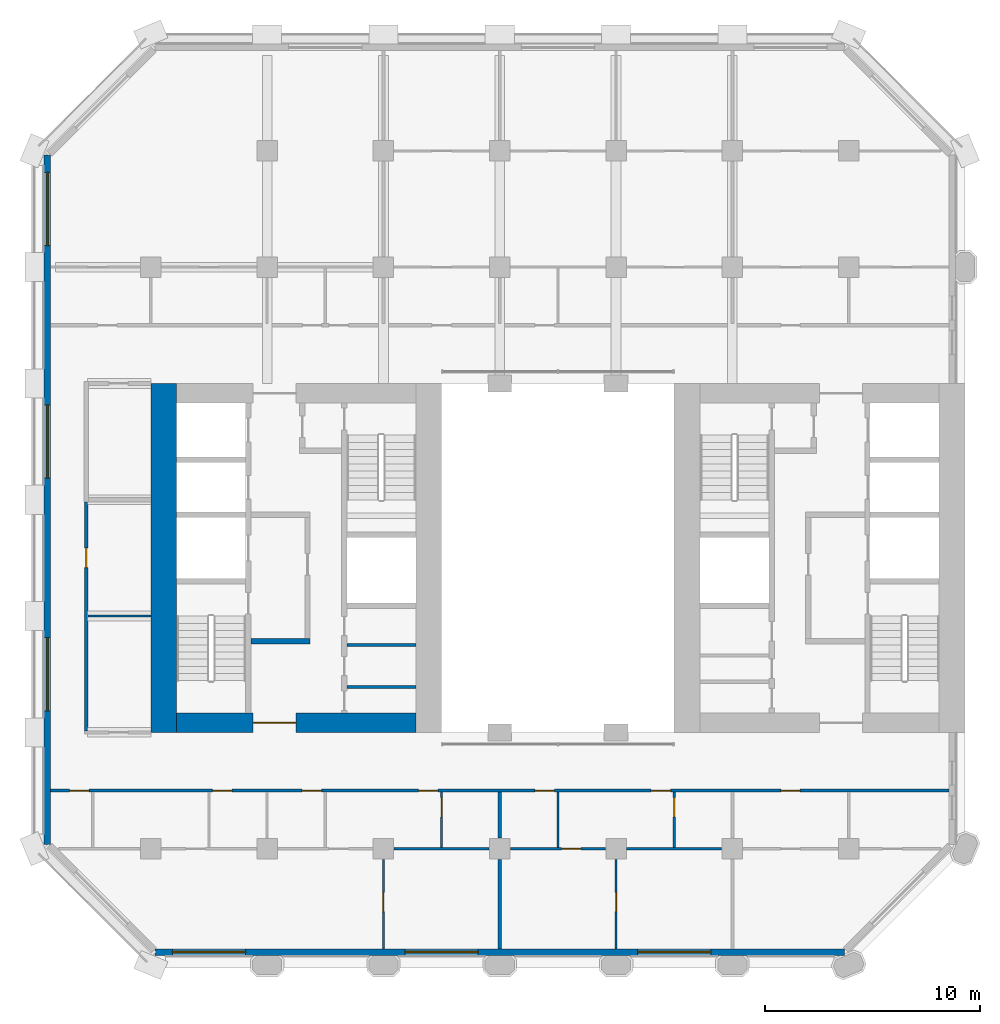
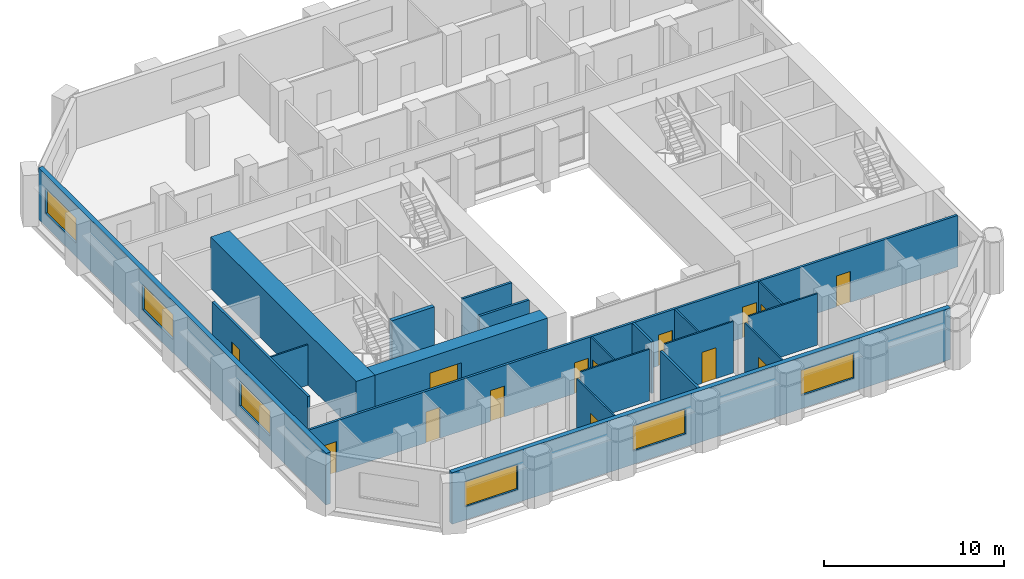
# One storey, part 6 of 13: 20 walls, 14 doors, 6 windows, 20 openings.
"""IFC4 building model written with IfcOpenShell, lengths in metres."""

from ifc_helpers import new_model, si_unit, direction, frame, frame_2d, origin, place, context, subcontext, project, spatial, rectangle, extrude, material, layer, layer_set, type_object, element, fill, save


model = new_model("IFC4")

# Units and contexts
model_context = context("Model", 3, precision=1e-05, world=origin(), true_north=direction((0.0, 1.0)))
body_context = subcontext(model_context, "Body", "Model", "MODEL_VIEW")
ifc_project = project(units=[si_unit("LENGTHUNIT", "METRE"), si_unit("AREAUNIT", "SQUARE_METRE"), si_unit("VOLUMEUNIT", "CUBIC_METRE"), si_unit("PLANEANGLEUNIT", "RADIAN"), si_unit("MASSUNIT", "GRAM", prefix="KILO")], contexts=[model_context])

# Site, building, storey
site_placement = place(None, origin())
site = spatial("IfcSite", under=ifc_project, at=site_placement, CompositionType="ELEMENT")
building_placement = place(site_placement, origin())
building = spatial("IfcBuilding", under=site, at=building_placement, Name="Tabaq Tower and Sports Hall", CompositionType="ELEMENT")
storey_placement = place(building_placement, frame((0.0, 0.0, 118.199951171875)))
storey = spatial("IfcBuildingStorey", under=building, at=storey_placement, Name="L28", CompositionType="ELEMENT", Elevation=118.199951171875)

# Walls
ifc_material_1 = material(Name="Blockwork", Category="masonry")
ifc_layer_1 = layer(ifc_material_1, 0.14990234375)
ifc_layer_set_1 = layer_set([ifc_layer_1], Name="Core room partition 150 Blockwork")
wall_type_1 = type_object("IfcWallType", Name="Core room partition 150 Blockwork", PredefinedType="PARTITIONING", material=ifc_layer_set_1)
for number, where, z_axis, x_axis, name in (
    (1, (14.5, 18.31201171875, 0.0), (0.0, 0.0, 1.0), (1.0, 0.0, 0.0), "Core room partition W L28"),
    (2, (14.5, 20.251953125, 0.0), (0.0, 0.0, 1.0), (1.0, 0.0, 0.0), "Core room partition W L28"),
):
    element("IfcWall", number, at=place(storey_placement, frame(where, z_axis=z_axis, x_axis=x_axis)), inside=storey, type_object=wall_type_1, Name=name, PredefinedType="PARTITIONING", context=body_context, shape_type="SweptSolid", body=[
        extrude(rectangle(XDim=3.199951171875, YDim=0.14990234375, at=frame_2d((1.60009765625, 0.0))), origin(), (0.0, 0.0, 1.0), 3.5),
    ])
ifc_material_2 = material(Name="Concrete C60/75", Category="concrete")
ifc_layer_2 = layer(ifc_material_2, 1.199951171875)
ifc_layer_set_2 = layer_set([ifc_layer_2], Name="Core wall 1200 Concrete C60/75")
wall_type_2 = type_object("IfcWallType", Name="Core wall 1200 Concrete C60/75", PredefinedType="SOLIDWALL", material=ifc_layer_set_2)
wall_1_placement = place(storey_placement, frame((6.0, 16.199951171875, 0.0), z_axis=(0.0, 0.0, 1.0), x_axis=(0.0, 1.0, 0.0)))
element("IfcWall", 3, at=wall_1_placement, inside=storey, type_object=wall_type_2, Name="Core wall W L28", PredefinedType="SOLIDWALL", context=body_context, shape_type="SweptSolid", body=[
    extrude(rectangle(XDim=16.199951171875, YDim=1.199951171875, at=frame_2d((8.10009765625, 0.0))), origin(), (0.0, 0.0, 1.0), 3.5),
])

# Wall, opening, door
ifc_material_3 = material(Name="Concrete C60/75", Category="concrete")
ifc_layer_3 = layer(ifc_material_3, 0.89990234375)
ifc_layer_set_3 = layer_set([ifc_layer_3], Name="Core wall 900 Concrete C60/75")
wall_type_3 = type_object("IfcWallType", Name="Core wall 900 Concrete C60/75", PredefinedType="SOLIDWALL", material=ifc_layer_set_3)
wall_2_placement = place(storey_placement, frame((17.699951171875, 16.64990234375, 0.0), z_axis=(0.0, 0.0, 1.0), x_axis=(-1.0, 0.0, 0.0)))
wall_2 = element("IfcWall", 4, at=wall_2_placement, inside=storey, type_object=wall_type_3, Name="Core wall W L28", PredefinedType="SOLIDWALL", context=body_context, shape_type="SweptSolid", body=[
    extrude(rectangle(XDim=11.099853515625, YDim=0.89990234375, at=frame_2d((5.5498046875, 0.0))), origin(), (0.0, 0.0, 1.0), 3.5),
])
opening_1_placement = place(wall_2_placement, frame((5.550048828125, 0.0, 0.0)))
opening_1 = element("IfcOpeningElement", 5, at=opening_1_placement, cuts=wall_2, Name="Opening PD-WL28-01", PredefinedType="OPENING", context=body_context, shape_type="SweptSolid", body=[
    extrude(rectangle(XDim=2.0, YDim=2.39990234375, at=frame_2d((1.0, 1.199951171875))), frame((0.0, 0.449951171875, 0.0), z_axis=(0.0, -1.0, 0.0), x_axis=(1.0, 0.0, 0.0)), (0.0, 0.0, 1.0), 0.89990234375),
])
ifc_material_4 = material(Name="Steel fire door", Category="steel")
door_type_1 = type_object("IfcDoorType", Name="Core entrance door 2000", OperationType="DOUBLE_DOOR_SINGLE_SWING", PredefinedType="DOOR", material=ifc_material_4)
door_1_placement = place(opening_1_placement, origin())
door_1 = element("IfcDoor", 6, at=door_1_placement, inside=storey, type_object=door_type_1, Name="Core entrance south W L28", OperationType="DOUBLE_DOOR_SINGLE_SWING", OverallHeight=2.39990234375, OverallWidth=2.0, PredefinedType="DOOR", context=body_context, shape_type="SweptSolid", body=[
    extrude(rectangle(XDim=2.0, YDim=2.39990234375, at=frame_2d((1.0, 1.199951171875))), frame((0.0, 0.02490234375, 0.0), z_axis=(0.0, -1.0, 0.0), x_axis=(1.0, 0.0, 0.0)), (0.0, 0.0, 1.0), 0.050048828125),
])
fill(opening_1, door_1)

ifc_material_5 = material(Name="Gypsum board on steel studs", Category="steel")
ifc_layer_4 = layer(ifc_material_5, 0.10009765625)
ifc_layer_set_4 = layer_set([ifc_layer_4], Name="Partition 100 Gypsum board")
wall_type_4 = type_object("IfcWallType", Name="Partition 100 Gypsum board", PredefinedType="PARTITIONING", material=ifc_layer_set_4)
wall_3_placement = place(storey_placement, frame((18.89990234375, 10.85009765625, 0.0), z_axis=(0.0, 0.0, 1.0), x_axis=(0.0, 1.0, 0.0)))
wall_3 = element("IfcWall", 7, at=wall_3_placement, inside=storey, type_object=wall_type_4, Name="Partition wall L28", PredefinedType="PARTITIONING", context=body_context, shape_type="SweptSolid", body=[
    extrude(rectangle(XDim=2.574951171875, YDim=0.10009765625, at=frame_2d((1.28759765625, 0.0))), origin(), (0.0, 0.0, 1.0), 3.5),
])
opening_2_placement = place(wall_3_placement, frame((1.425048828125, 0.0, 0.0)))
opening_2 = element("IfcOpeningElement", 8, at=opening_2_placement, cuts=wall_3, Name="Opening L28-019", PredefinedType="OPENING", context=body_context, shape_type="SweptSolid", body=[
    extrude(rectangle(XDim=0.89990234375, YDim=2.10009765625, at=frame_2d((0.449951171875, 1.050048828125))), frame((0.0, 0.050048828125, 0.0), z_axis=(0.0, -1.0, 0.0), x_axis=(1.0, 0.0, 0.0)), (0.0, 0.0, 1.0), 0.10009765625),
])
ifc_material_6 = material(Name="Timber leaf in steel frame", Category="steel")
door_type_2 = type_object("IfcDoorType", Name="Internal door 900 left hand", OperationType="SINGLE_SWING_LEFT", PredefinedType="DOOR", material=ifc_material_6)
door_2_placement = place(opening_2_placement, origin())
door_2 = element("IfcDoor", 9, at=door_2_placement, inside=storey, type_object=door_type_2, Name="Internal door L28-019", OperationType="SINGLE_SWING_LEFT", OverallHeight=2.10009765625, OverallWidth=0.89990234375, PredefinedType="DOOR", context=body_context, shape_type="SweptSolid", body=[
    extrude(rectangle(XDim=0.89990234375, YDim=2.10009765625, at=frame_2d((0.449951171875, 1.050048828125))), frame((0.0, 0.02490234375, 0.0), z_axis=(0.0, -1.0, 0.0), x_axis=(1.0, 0.0, 0.0)), (0.0, 0.0, 1.0), 0.050048828125),
])
fill(opening_2, door_2)

# Wall
wall_4_placement = place(storey_placement, frame((16.695068359375, 10.800048828125, 0.0), z_axis=(0.0, 0.0, 1.0), x_axis=(1.0, 0.0, 0.0)))
element("IfcWall", 10, at=wall_4_placement, inside=storey, type_object=wall_type_4, Name="Partition wall L28", PredefinedType="PARTITIONING", context=body_context, shape_type="SweptSolid", body=[
    extrude(rectangle(XDim=4.409912109375, YDim=0.10009765625, at=frame_2d((2.205078125, 0.0))), origin(), (0.0, 0.0, 1.0), 3.5),
])

# Wall, opening, door
wall_5_placement = place(storey_placement, frame((16.199951171875, 6.15087890625, 0.0), z_axis=(0.0, 0.0, 1.0), x_axis=(0.0, 1.0, 0.0)))
wall_5 = element("IfcWall", 11, at=wall_5_placement, inside=storey, type_object=wall_type_4, Name="Partition wall L28", PredefinedType="PARTITIONING", context=body_context, shape_type="SweptSolid", body=[
    extrude(rectangle(XDim=4.154052734375, YDim=0.10009765625, at=frame_2d((2.0771484375, 0.0))), origin(), (0.0, 0.0, 1.0), 3.5),
])
opening_3_placement = place(wall_5_placement, frame((1.72412109375, 0.0, 0.0)))
opening_3 = element("IfcOpeningElement", 12, at=opening_3_placement, cuts=wall_5, Name="Opening L28-020", PredefinedType="OPENING", context=body_context, shape_type="SweptSolid", body=[
    extrude(rectangle(XDim=0.89990234375, YDim=2.10009765625, at=frame_2d((0.449951171875, 1.050048828125))), frame((0.0, 0.050048828125, 0.0), z_axis=(0.0, -1.0, 0.0), x_axis=(1.0, 0.0, 0.0)), (0.0, 0.0, 1.0), 0.10009765625),
])
ifc_material_7 = material(Name="Timber leaf in steel frame", Category="steel")
door_type_3 = type_object("IfcDoorType", Name="Internal door 900 right hand", OperationType="SINGLE_SWING_RIGHT", PredefinedType="DOOR", material=ifc_material_7)
door_3_placement = place(opening_3_placement, origin())
door_3 = element("IfcDoor", 13, at=door_3_placement, inside=storey, type_object=door_type_3, Name="Internal door L28-020", OperationType="SINGLE_SWING_RIGHT", OverallHeight=2.10009765625, OverallWidth=0.89990234375, PredefinedType="DOOR", context=body_context, shape_type="SweptSolid", body=[
    extrude(rectangle(XDim=0.89990234375, YDim=2.10009765625, at=frame_2d((0.449951171875, 1.050048828125))), frame((0.0, 0.02490234375, 0.0), z_axis=(0.0, -1.0, 0.0), x_axis=(1.0, 0.0, 0.0)), (0.0, 0.0, 1.0), 0.050048828125),
])
fill(opening_3, door_3)

# Wall
wall_6_placement = place(storey_placement, frame((24.300048828125, 10.85009765625, 0.0), z_axis=(0.0, 0.0, 1.0), x_axis=(0.0, 1.0, 0.0)))
element("IfcWall", 14, at=wall_6_placement, inside=storey, type_object=wall_type_4, Name="Partition wall L28", PredefinedType="PARTITIONING", context=body_context, shape_type="SweptSolid", body=[
    extrude(rectangle(XDim=2.574951171875, YDim=0.10009765625, at=frame_2d((1.28759765625, 0.0))), origin(), (0.0, 0.0, 1.0), 3.5),
])

# Wall, opening, door
wall_7_placement = place(storey_placement, frame((22.094970703125, 10.800048828125, 0.0), z_axis=(0.0, 0.0, 1.0), x_axis=(1.0, 0.0, 0.0)))
wall_7 = element("IfcWall", 15, at=wall_7_placement, inside=storey, type_object=wall_type_4, Name="Partition wall L28", PredefinedType="PARTITIONING", context=body_context, shape_type="SweptSolid", body=[
    extrude(rectangle(XDim=4.409912109375, YDim=0.10009765625, at=frame_2d((2.205078125, 0.0))), origin(), (0.0, 0.0, 1.0), 3.5),
])
opening_4_placement = place(wall_7_placement, frame((2.375, 0.0, 0.0)))
opening_4 = element("IfcOpeningElement", 16, at=opening_4_placement, cuts=wall_7, Name="Opening L28-031", PredefinedType="OPENING", context=body_context, shape_type="SweptSolid", body=[
    extrude(rectangle(XDim=0.89990234375, YDim=2.10009765625, at=frame_2d((0.449951171875, 1.050048828125))), frame((0.0, 0.050048828125, 0.0), z_axis=(0.0, -1.0, 0.0), x_axis=(1.0, 0.0, 0.0)), (0.0, 0.0, 1.0), 0.10009765625),
])
door_4_placement = place(opening_4_placement, origin())
door_4 = element("IfcDoor", 17, at=door_4_placement, inside=storey, type_object=door_type_2, Name="Internal door L28-031", OperationType="SINGLE_SWING_LEFT", OverallHeight=2.10009765625, OverallWidth=0.89990234375, PredefinedType="DOOR", context=body_context, shape_type="SweptSolid", body=[
    extrude(rectangle(XDim=0.89990234375, YDim=2.10009765625, at=frame_2d((0.449951171875, 1.050048828125))), frame((0.0, 0.02490234375, 0.0), z_axis=(0.0, -1.0, 0.0), x_axis=(1.0, 0.0, 0.0)), (0.0, 0.0, 1.0), 0.050048828125),
])
fill(opening_4, door_4)

wall_8_placement = place(storey_placement, frame((29.699951171875, 10.85009765625, 0.0), z_axis=(0.0, 0.0, 1.0), x_axis=(0.0, 1.0, 0.0)))
wall_8 = element("IfcWall", 18, at=wall_8_placement, inside=storey, type_object=wall_type_4, Name="Partition wall L28", PredefinedType="PARTITIONING", context=body_context, shape_type="SweptSolid", body=[
    extrude(rectangle(XDim=2.574951171875, YDim=0.10009765625, at=frame_2d((1.28759765625, 0.0))), origin(), (0.0, 0.0, 1.0), 3.5),
])
opening_5_placement = place(wall_8_placement, frame((1.425048828125, 0.0, 0.0)))
opening_5 = element("IfcOpeningElement", 19, at=opening_5_placement, cuts=wall_8, Name="Opening L28-021", PredefinedType="OPENING", context=body_context, shape_type="SweptSolid", body=[
    extrude(rectangle(XDim=0.89990234375, YDim=2.10009765625, at=frame_2d((0.449951171875, 1.050048828125))), frame((0.0, 0.050048828125, 0.0), z_axis=(0.0, -1.0, 0.0), x_axis=(1.0, 0.0, 0.0)), (0.0, 0.0, 1.0), 0.10009765625),
])
door_5_placement = place(opening_5_placement, origin())
door_5 = element("IfcDoor", 20, at=door_5_placement, inside=storey, type_object=door_type_3, Name="Internal door L28-021", OperationType="SINGLE_SWING_RIGHT", OverallHeight=2.10009765625, OverallWidth=0.89990234375, PredefinedType="DOOR", context=body_context, shape_type="SweptSolid", body=[
    extrude(rectangle(XDim=0.89990234375, YDim=2.10009765625, at=frame_2d((0.449951171875, 1.050048828125))), frame((0.0, 0.02490234375, 0.0), z_axis=(0.0, -1.0, 0.0), x_axis=(1.0, 0.0, 0.0)), (0.0, 0.0, 1.0), 0.050048828125),
])
fill(opening_5, door_5)

# Wall
wall_9_placement = place(storey_placement, frame((27.4951171875, 10.800048828125, 0.0), z_axis=(0.0, 0.0, 1.0), x_axis=(1.0, 0.0, 0.0)))
element("IfcWall", 21, at=wall_9_placement, inside=storey, type_object=wall_type_4, Name="Partition wall L28", PredefinedType="PARTITIONING", context=body_context, shape_type="SweptSolid", body=[
    extrude(rectangle(XDim=4.409912109375, YDim=0.10009765625, at=frame_2d((2.205078125, 0.0))), origin(), (0.0, 0.0, 1.0), 3.5),
])

# Wall, opening, door
wall_10_placement = place(storey_placement, frame((27.0, 6.15087890625, 0.0), z_axis=(0.0, 0.0, 1.0), x_axis=(0.0, 1.0, 0.0)))
wall_10 = element("IfcWall", 22, at=wall_10_placement, inside=storey, type_object=wall_type_4, Name="Partition wall L28", PredefinedType="PARTITIONING", context=body_context, shape_type="SweptSolid", body=[
    extrude(rectangle(XDim=4.154052734375, YDim=0.10009765625, at=frame_2d((2.0771484375, 0.0))), origin(), (0.0, 0.0, 1.0), 3.5),
])
opening_6_placement = place(wall_10_placement, frame((1.72412109375, 0.0, 0.0)))
opening_6 = element("IfcOpeningElement", 23, at=opening_6_placement, cuts=wall_10, Name="Opening L28-022", PredefinedType="OPENING", context=body_context, shape_type="SweptSolid", body=[
    extrude(rectangle(XDim=0.89990234375, YDim=2.10009765625, at=frame_2d((0.449951171875, 1.050048828125))), frame((0.0, 0.050048828125, 0.0), z_axis=(0.0, -1.0, 0.0), x_axis=(1.0, 0.0, 0.0)), (0.0, 0.0, 1.0), 0.10009765625),
])
door_6_placement = place(opening_6_placement, origin())
door_6 = element("IfcDoor", 24, at=door_6_placement, inside=storey, type_object=door_type_3, Name="Internal door L28-022", OperationType="SINGLE_SWING_RIGHT", OverallHeight=2.10009765625, OverallWidth=0.89990234375, PredefinedType="DOOR", context=body_context, shape_type="SweptSolid", body=[
    extrude(rectangle(XDim=0.89990234375, YDim=2.10009765625, at=frame_2d((0.449951171875, 1.050048828125))), frame((0.0, 0.02490234375, 0.0), z_axis=(0.0, -1.0, 0.0), x_axis=(1.0, 0.0, 0.0)), (0.0, 0.0, 1.0), 0.050048828125),
])
fill(opening_6, door_6)

# Wall
wall_11_placement = place(storey_placement, frame((5.39990234375, 21.60009765625, 0.0), z_axis=(0.0, 0.0, 1.0), x_axis=(-1.0, 0.0, 0.0)))
element("IfcWall", 25, at=wall_11_placement, inside=storey, type_object=wall_type_4, Name="Partition wall L28", PredefinedType="PARTITIONING", context=body_context, shape_type="SweptSolid", body=[
    extrude(rectangle(XDim=2.9248046875, YDim=0.10009765625, at=frame_2d((1.46240234375, 0.0))), origin(), (0.0, 0.0, 1.0), 2.75),
])

# Wall, opening, door
ifc_material_8 = material(Name="Blockwork", Category="masonry")
ifc_layer_5 = layer(ifc_material_8, 0.14990234375)
ifc_layer_set_5 = layer_set([ifc_layer_5], Name="Separating wall 150 Blockwork")
wall_type_5 = type_object("IfcWallType", Name="Separating wall 150 Blockwork", PredefinedType="PARTITIONING", material=ifc_layer_set_5)
wall_12_placement = place(storey_placement, frame((2.39990234375, 16.27490234375, 0.0), z_axis=(0.0, 0.0, 1.0), x_axis=(0.0, 1.0, 0.0)))
wall_12 = element("IfcWall", 26, at=wall_12_placement, inside=storey, type_object=wall_type_5, Name="Separating wall L28", PredefinedType="PARTITIONING", context=body_context, shape_type="SweptSolid", body=[
    extrude(rectangle(XDim=10.625, YDim=0.14990234375, at=frame_2d((5.3125, 0.0))), origin(), (0.0, 0.0, 1.0), 3.5),
])
opening_7_placement = place(wall_12_placement, frame((7.574951171875, 0.0, 0.0)))
opening_7 = element("IfcOpeningElement", 27, at=opening_7_placement, cuts=wall_12, Name="Opening L28-009", PredefinedType="OPENING", context=body_context, shape_type="SweptSolid", body=[
    extrude(rectangle(XDim=0.89990234375, YDim=2.10009765625, at=frame_2d((0.449951171875, 1.050048828125))), frame((0.0, 0.074951171875, 0.0), z_axis=(0.0, -1.0, 0.0), x_axis=(1.0, 0.0, 0.0)), (0.0, 0.0, 1.0), 0.14990234375),
])
door_7_placement = place(opening_7_placement, origin())
door_7 = element("IfcDoor", 28, at=door_7_placement, inside=storey, type_object=door_type_3, Name="Internal door L28-009", OperationType="SINGLE_SWING_RIGHT", OverallHeight=2.10009765625, OverallWidth=0.89990234375, PredefinedType="DOOR", context=body_context, shape_type="SweptSolid", body=[
    extrude(rectangle(XDim=0.89990234375, YDim=2.10009765625, at=frame_2d((0.449951171875, 1.050048828125))), frame((0.0, 0.02490234375, 0.0), z_axis=(0.0, -1.0, 0.0), x_axis=(1.0, 0.0, 0.0)), (0.0, 0.0, 1.0), 0.050048828125),
])
fill(opening_7, door_7)

# Wall, openings, doors
wall_13_placement = place(storey_placement, frame((0.7509765625, 13.5, 0.0), z_axis=(0.0, 0.0, 1.0), x_axis=(1.0, 0.0, 0.0)))
wall_13 = element("IfcWall", 29, at=wall_13_placement, inside=storey, type_object=wall_type_5, Name="Separating wall L28", PredefinedType="PARTITIONING", context=body_context, shape_type="SweptSolid", body=[
    extrude(rectangle(XDim=41.697998046875, YDim=0.14990234375, at=frame_2d((20.84912109375, 0.0))), origin(), (0.0, 0.0, 1.0), 3.5),
])
opening_8_placement = place(wall_13_placement, frame((0.87890625, 0.0, 0.0)))
opening_8 = element("IfcOpeningElement", 30, at=opening_8_placement, cuts=wall_13, Name="Opening L28-004", PredefinedType="OPENING", context=body_context, shape_type="SweptSolid", body=[
    extrude(rectangle(XDim=0.89990234375, YDim=2.10009765625, at=frame_2d((0.449951171875, 1.050048828125))), frame((0.0, 0.074951171875, 0.0), z_axis=(0.0, -1.0, 0.0), x_axis=(1.0, 0.0, 0.0)), (0.0, 0.0, 1.0), 0.14990234375),
])
opening_9_placement = place(wall_13_placement, frame((7.51904296875, 0.0, 0.0)))
opening_9 = element("IfcOpeningElement", 31, at=opening_9_placement, cuts=wall_13, Name="Opening L28-005", PredefinedType="OPENING", context=body_context, shape_type="SweptSolid", body=[
    extrude(rectangle(XDim=0.89990234375, YDim=2.10009765625, at=frame_2d((0.449951171875, 1.050048828125))), frame((0.0, 0.074951171875, 0.0), z_axis=(0.0, -1.0, 0.0), x_axis=(1.0, 0.0, 0.0)), (0.0, 0.0, 1.0), 0.14990234375),
])
opening_10_placement = place(wall_13_placement, frame((11.678955078125, 0.0, 0.0)))
opening_10 = element("IfcOpeningElement", 32, at=opening_10_placement, cuts=wall_13, Name="Opening L28-006", PredefinedType="OPENING", context=body_context, shape_type="SweptSolid", body=[
    extrude(rectangle(XDim=0.89990234375, YDim=2.10009765625, at=frame_2d((0.449951171875, 1.050048828125))), frame((0.0, 0.074951171875, 0.0), z_axis=(0.0, -1.0, 0.0), x_axis=(1.0, 0.0, 0.0)), (0.0, 0.0, 1.0), 0.14990234375),
])
opening_11_placement = place(wall_13_placement, frame((22.47900390625, 0.0, 0.0)))
opening_11 = element("IfcOpeningElement", 33, at=opening_11_placement, cuts=wall_13, Name="Opening L28-007", PredefinedType="OPENING", context=body_context, shape_type="SweptSolid", body=[
    extrude(rectangle(XDim=0.89990234375, YDim=2.10009765625, at=frame_2d((0.449951171875, 1.050048828125))), frame((0.0, 0.074951171875, 0.0), z_axis=(0.0, -1.0, 0.0), x_axis=(1.0, 0.0, 0.0)), (0.0, 0.0, 1.0), 0.14990234375),
])
opening_12_placement = place(wall_13_placement, frame((33.89892578125, 0.0, 0.0)))
opening_12 = element("IfcOpeningElement", 34, at=opening_12_placement, cuts=wall_13, Name="Opening L28-027", PredefinedType="OPENING", context=body_context, shape_type="SweptSolid", body=[
    extrude(rectangle(XDim=0.89990234375, YDim=2.10009765625, at=frame_2d((0.449951171875, 1.050048828125))), frame((0.0, 0.074951171875, 0.0), z_axis=(0.0, -1.0, 0.0), x_axis=(1.0, 0.0, 0.0)), (0.0, 0.0, 1.0), 0.14990234375),
])
opening_13_placement = place(wall_13_placement, frame((17.0791015625, 0.0, 0.0)))
opening_13 = element("IfcOpeningElement", 35, at=opening_13_placement, cuts=wall_13, Name="Opening L28-033", PredefinedType="OPENING", context=body_context, shape_type="SweptSolid", body=[
    extrude(rectangle(XDim=0.89990234375, YDim=2.10009765625, at=frame_2d((0.449951171875, 1.050048828125))), frame((0.0, 0.074951171875, 0.0), z_axis=(0.0, -1.0, 0.0), x_axis=(1.0, 0.0, 0.0)), (0.0, 0.0, 1.0), 0.14990234375),
])
opening_14_placement = place(wall_13_placement, frame((27.87890625, 0.0, 0.0)))
opening_14 = element("IfcOpeningElement", 36, at=opening_14_placement, cuts=wall_13, Name="Opening L28-034", PredefinedType="OPENING", context=body_context, shape_type="SweptSolid", body=[
    extrude(rectangle(XDim=0.89990234375, YDim=2.10009765625, at=frame_2d((0.449951171875, 1.050048828125))), frame((0.0, 0.074951171875, 0.0), z_axis=(0.0, -1.0, 0.0), x_axis=(1.0, 0.0, 0.0)), (0.0, 0.0, 1.0), 0.14990234375),
])
ifc_material_9 = material(Name="Steel fire door", Category="steel")
door_type_4 = type_object("IfcDoorType", Name="Entrance door 900 left hand", OperationType="SINGLE_SWING_LEFT", PredefinedType="DOOR", material=ifc_material_9)
door_8_placement = place(opening_8_placement, origin())
door_8 = element("IfcDoor", 37, at=door_8_placement, inside=storey, type_object=door_type_4, Name="Entrance door L28-004", OperationType="SINGLE_SWING_LEFT", OverallHeight=2.10009765625, OverallWidth=0.89990234375, PredefinedType="DOOR", context=body_context, shape_type="SweptSolid", body=[
    extrude(rectangle(XDim=0.89990234375, YDim=2.10009765625, at=frame_2d((0.449951171875, 1.050048828125))), frame((0.0, 0.02490234375, 0.0), z_axis=(0.0, -1.0, 0.0), x_axis=(1.0, 0.0, 0.0)), (0.0, 0.0, 1.0), 0.050048828125),
])
fill(opening_8, door_8)
door_9_placement = place(opening_9_placement, origin())
door_9 = element("IfcDoor", 38, at=door_9_placement, inside=storey, type_object=door_type_4, Name="Entrance door L28-005", OperationType="SINGLE_SWING_LEFT", OverallHeight=2.10009765625, OverallWidth=0.89990234375, PredefinedType="DOOR", context=body_context, shape_type="SweptSolid", body=[
    extrude(rectangle(XDim=0.89990234375, YDim=2.10009765625, at=frame_2d((0.449951171875, 1.050048828125))), frame((0.0, 0.02490234375, 0.0), z_axis=(0.0, -1.0, 0.0), x_axis=(1.0, 0.0, 0.0)), (0.0, 0.0, 1.0), 0.050048828125),
])
fill(opening_9, door_9)
door_10_placement = place(opening_10_placement, origin())
door_10 = element("IfcDoor", 39, at=door_10_placement, inside=storey, type_object=door_type_4, Name="Entrance door L28-006", OperationType="SINGLE_SWING_LEFT", OverallHeight=2.10009765625, OverallWidth=0.89990234375, PredefinedType="DOOR", context=body_context, shape_type="SweptSolid", body=[
    extrude(rectangle(XDim=0.89990234375, YDim=2.10009765625, at=frame_2d((0.449951171875, 1.050048828125))), frame((0.0, 0.02490234375, 0.0), z_axis=(0.0, -1.0, 0.0), x_axis=(1.0, 0.0, 0.0)), (0.0, 0.0, 1.0), 0.050048828125),
])
fill(opening_10, door_10)
door_11_placement = place(opening_11_placement, origin())
door_11 = element("IfcDoor", 40, at=door_11_placement, inside=storey, type_object=door_type_4, Name="Entrance door L28-007", OperationType="SINGLE_SWING_LEFT", OverallHeight=2.10009765625, OverallWidth=0.89990234375, PredefinedType="DOOR", context=body_context, shape_type="SweptSolid", body=[
    extrude(rectangle(XDim=0.89990234375, YDim=2.10009765625, at=frame_2d((0.449951171875, 1.050048828125))), frame((0.0, 0.02490234375, 0.0), z_axis=(0.0, -1.0, 0.0), x_axis=(1.0, 0.0, 0.0)), (0.0, 0.0, 1.0), 0.050048828125),
])
fill(opening_11, door_11)
door_12_placement = place(opening_12_placement, origin())
door_12 = element("IfcDoor", 41, at=door_12_placement, inside=storey, type_object=door_type_4, Name="Entrance door L28-027", OperationType="SINGLE_SWING_LEFT", OverallHeight=2.10009765625, OverallWidth=0.89990234375, PredefinedType="DOOR", context=body_context, shape_type="SweptSolid", body=[
    extrude(rectangle(XDim=0.89990234375, YDim=2.10009765625, at=frame_2d((0.449951171875, 1.050048828125))), frame((0.0, 0.02490234375, 0.0), z_axis=(0.0, -1.0, 0.0), x_axis=(1.0, 0.0, 0.0)), (0.0, 0.0, 1.0), 0.050048828125),
])
fill(opening_12, door_12)
door_13_placement = place(opening_14_placement, origin())
door_13 = element("IfcDoor", 42, at=door_13_placement, inside=storey, type_object=door_type_4, Name="Entrance door L28-034", OperationType="SINGLE_SWING_LEFT", OverallHeight=2.10009765625, OverallWidth=0.89990234375, PredefinedType="DOOR", context=body_context, shape_type="SweptSolid", body=[
    extrude(rectangle(XDim=0.89990234375, YDim=2.10009765625, at=frame_2d((0.449951171875, 1.050048828125))), frame((0.0, 0.02490234375, 0.0), z_axis=(0.0, -1.0, 0.0), x_axis=(1.0, 0.0, 0.0)), (0.0, 0.0, 1.0), 0.050048828125),
])
fill(opening_14, door_13)
ifc_material_10 = material(Name="Steel fire door", Category="steel")
door_type_5 = type_object("IfcDoorType", Name="Entrance door 900 right hand", OperationType="SINGLE_SWING_RIGHT", PredefinedType="DOOR", material=ifc_material_10)
door_14_placement = place(opening_13_placement, origin())
door_14 = element("IfcDoor", 43, at=door_14_placement, inside=storey, type_object=door_type_5, Name="Entrance door L28-033", OperationType="SINGLE_SWING_RIGHT", OverallHeight=2.10009765625, OverallWidth=0.89990234375, PredefinedType="DOOR", context=body_context, shape_type="SweptSolid", body=[
    extrude(rectangle(XDim=0.89990234375, YDim=2.10009765625, at=frame_2d((0.449951171875, 1.050048828125))), frame((0.0, 0.02490234375, 0.0), z_axis=(0.0, -1.0, 0.0), x_axis=(1.0, 0.0, 0.0)), (0.0, 0.0, 1.0), 0.050048828125),
])
fill(opening_13, door_14)

# Walls
wall_14_placement = place(storey_placement, frame((21.60009765625, 11.294921875, 0.0), z_axis=(0.0, 0.0, 1.0), x_axis=(0.0, 1.0, 0.0)))
element("IfcWall", 44, at=wall_14_placement, inside=storey, type_object=wall_type_5, Name="Separating wall L28", PredefinedType="PARTITIONING", context=body_context, shape_type="SweptSolid", body=[
    extrude(rectangle(XDim=2.130126953125, YDim=0.14990234375, at=frame_2d((1.06494140625, 0.0))), origin(), (0.0, 0.0, 1.0), 3.5),
])
wall_15_placement = place(storey_placement, frame((21.60009765625, 6.15087890625, 0.0), z_axis=(0.0, 0.0, 1.0), x_axis=(0.0, 1.0, 0.0)))
element("IfcWall", 45, at=wall_15_placement, inside=storey, type_object=wall_type_5, Name="Separating wall L28", PredefinedType="PARTITIONING", context=body_context, shape_type="SweptSolid", body=[
    extrude(rectangle(XDim=4.154052734375, YDim=0.14990234375, at=frame_2d((2.0771484375, 0.0))), origin(), (0.0, 0.0, 1.0), 3.5),
])
ifc_material_11 = material(Name="Concrete C40/50", Category="concrete")
ifc_layer_6 = layer(ifc_material_11, 0.25)
ifc_layer_set_6 = layer_set([ifc_layer_6], Name="Shaft and stair wall 250 Concrete C40/50")
wall_type_6 = type_object("IfcWallType", Name="Shaft and stair wall 250 Concrete C40/50", PredefinedType="SOLIDWALL", material=ifc_layer_set_6)
wall_16_placement = place(storey_placement, frame((10.050048828125, 20.425048828125, 0.0), z_axis=(0.0, 0.0, 1.0), x_axis=(1.0, 0.0, 0.0)))
element("IfcWall", 46, at=wall_16_placement, inside=storey, type_object=wall_type_6, Name="Fire-fighting lobby wall W L28", PredefinedType="SOLIDWALL", context=body_context, shape_type="SweptSolid", body=[
    extrude(rectangle(XDim=2.75, YDim=0.25, at=frame_2d((1.375, 0.0))), origin(), (0.0, 0.0, 1.0), 3.5),
])

# Wall, openings, windows
ifc_material_12 = material(Name="White precast concrete C60/75", Category="concrete")
ifc_layer_7 = layer(ifc_material_12, 0.300048828125)
ifc_layer_set_7 = layer_set([ifc_layer_7], Name="White precast concrete C60/75 external wall 300")
wall_type_7 = type_object("IfcWallType", Name="White precast concrete C60/75 external wall 300", PredefinedType="SOLIDWALL", material=ifc_layer_set_7)
wall_17_placement = place(storey_placement, frame((5.58642578125, 6.0, 0.0), z_axis=(0.0, 0.0, 1.0), x_axis=(1.0, 0.0, 0.0)))
wall_17 = element("IfcWall", 47, at=wall_17_placement, inside=storey, type_object=wall_type_7, Name="External Wall L28 S", PredefinedType="SOLIDWALL", context=body_context, shape_type="SweptSolid", body=[
    extrude(rectangle(XDim=32.027099609375, YDim=0.300048828125, at=frame_2d((16.013671875, 0.0))), origin(), (0.0, 0.0, 1.0), 3.5),
])
opening_15_placement = place(wall_17_placement, frame((0.813720703125, 0.0, 0.89990234375)))
opening_15 = element("IfcOpeningElement", 48, at=opening_15_placement, cuts=wall_17, Name="Opening W1A", PredefinedType="OPENING", context=body_context, shape_type="SweptSolid", body=[
    extrude(rectangle(XDim=3.39990234375, YDim=1.699951171875, at=frame_2d((1.699951171875, 0.85009765625))), frame((0.0, 0.16015625, 0.0), z_axis=(0.0, -1.0, 0.0), x_axis=(1.0, 0.0, 0.0)), (0.0, 0.0, 1.0), 0.320068359375),
])
opening_16_placement = place(wall_17_placement, frame((11.613525390625, 0.0, 0.89990234375)))
opening_16 = element("IfcOpeningElement", 49, at=opening_16_placement, cuts=wall_17, Name="Opening W1A", PredefinedType="OPENING", context=body_context, shape_type="SweptSolid", body=[
    extrude(rectangle(XDim=3.39990234375, YDim=1.699951171875, at=frame_2d((1.699951171875, 0.85009765625))), frame((0.0, 0.16015625, 0.0), z_axis=(0.0, -1.0, 0.0), x_axis=(1.0, 0.0, 0.0)), (0.0, 0.0, 1.0), 0.320068359375),
])
opening_17_placement = place(wall_17_placement, frame((22.41357421875, 0.0, 0.89990234375)))
opening_17 = element("IfcOpeningElement", 50, at=opening_17_placement, cuts=wall_17, Name="Opening W1A", PredefinedType="OPENING", context=body_context, shape_type="SweptSolid", body=[
    extrude(rectangle(XDim=3.39990234375, YDim=1.699951171875, at=frame_2d((1.699951171875, 0.85009765625))), frame((0.0, 0.16015625, 0.0), z_axis=(0.0, -1.0, 0.0), x_axis=(1.0, 0.0, 0.0)), (0.0, 0.0, 1.0), 0.320068359375),
])
ifc_material_13 = material(Name="Aluminium framed clear glazing", Category="aluminium")
window_type = type_object("IfcWindowType", Name="Window W1A", PartitioningType="SINGLE_PANEL", PredefinedType="WINDOW", material=ifc_material_13)
window_1_placement = place(opening_15_placement, origin())
window_1 = element("IfcWindow", 51, at=window_1_placement, inside=storey, type_object=window_type, Name="Window W1A L28", OverallHeight=1.699951171875, OverallWidth=3.39990234375, PartitioningType="SINGLE_PANEL", PredefinedType="WINDOW", context=body_context, shape_type="SweptSolid", body=[
    extrude(rectangle(XDim=3.39990234375, YDim=1.699951171875, at=frame_2d((1.699951171875, 0.85009765625))), frame((0.0, 0.030029296875, 0.0), z_axis=(0.0, -1.0, 0.0), x_axis=(1.0, 0.0, 0.0)), (0.0, 0.0, 1.0), 0.06005859375),
])
fill(opening_15, window_1)
window_2_placement = place(opening_16_placement, origin())
window_2 = element("IfcWindow", 52, at=window_2_placement, inside=storey, type_object=window_type, Name="Window W1A L28", OverallHeight=1.699951171875, OverallWidth=3.39990234375, PartitioningType="SINGLE_PANEL", PredefinedType="WINDOW", context=body_context, shape_type="SweptSolid", body=[
    extrude(rectangle(XDim=3.39990234375, YDim=1.699951171875, at=frame_2d((1.699951171875, 0.85009765625))), frame((0.0, 0.030029296875, 0.0), z_axis=(0.0, -1.0, 0.0), x_axis=(1.0, 0.0, 0.0)), (0.0, 0.0, 1.0), 0.06005859375),
])
fill(opening_16, window_2)
window_3_placement = place(opening_17_placement, origin())
window_3 = element("IfcWindow", 53, at=window_3_placement, inside=storey, type_object=window_type, Name="Window W1A L28", OverallHeight=1.699951171875, OverallWidth=3.39990234375, PartitioningType="SINGLE_PANEL", PredefinedType="WINDOW", context=body_context, shape_type="SweptSolid", body=[
    extrude(rectangle(XDim=3.39990234375, YDim=1.699951171875, at=frame_2d((1.699951171875, 0.85009765625))), frame((0.0, 0.030029296875, 0.0), z_axis=(0.0, -1.0, 0.0), x_axis=(1.0, 0.0, 0.0)), (0.0, 0.0, 1.0), 0.06005859375),
])
fill(opening_17, window_3)

wall_18_placement = place(storey_placement, frame((0.60009765625, 43.013671875, 0.0), z_axis=(0.0, 0.0, 1.0), x_axis=(0.0, -1.0, 0.0)))
wall_18 = element("IfcWall", 54, at=wall_18_placement, inside=storey, type_object=wall_type_7, Name="External Wall L28 W", PredefinedType="SOLIDWALL", context=body_context, shape_type="SweptSolid", body=[
    extrude(rectangle(XDim=32.02734375, YDim=0.300048828125, at=frame_2d((16.013671875, 0.0))), origin(), (0.0, 0.0, 1.0), 3.5),
])
opening_18_placement = place(wall_18_placement, frame((0.813720703125, 0.0, 0.89990234375)))
opening_18 = element("IfcOpeningElement", 55, at=opening_18_placement, cuts=wall_18, Name="Opening W1A", PredefinedType="OPENING", context=body_context, shape_type="SweptSolid", body=[
    extrude(rectangle(XDim=3.39990234375, YDim=1.699951171875, at=frame_2d((1.699951171875, 0.85009765625))), frame((0.0, 0.16015625, 0.0), z_axis=(0.0, -1.0, 0.0), x_axis=(1.0, 0.0, 0.0)), (0.0, 0.0, 1.0), 0.320068359375),
])
opening_19_placement = place(wall_18_placement, frame((11.613525390625, 0.0, 0.89990234375)))
opening_19 = element("IfcOpeningElement", 56, at=opening_19_placement, cuts=wall_18, Name="Opening W1A", PredefinedType="OPENING", context=body_context, shape_type="SweptSolid", body=[
    extrude(rectangle(XDim=3.39990234375, YDim=1.699951171875, at=frame_2d((1.699951171875, 0.85009765625))), frame((0.0, 0.16015625, 0.0), z_axis=(0.0, -1.0, 0.0), x_axis=(1.0, 0.0, 0.0)), (0.0, 0.0, 1.0), 0.320068359375),
])
opening_20_placement = place(wall_18_placement, frame((22.41357421875, 0.0, 0.89990234375)))
opening_20 = element("IfcOpeningElement", 57, at=opening_20_placement, cuts=wall_18, Name="Opening W1A", PredefinedType="OPENING", context=body_context, shape_type="SweptSolid", body=[
    extrude(rectangle(XDim=3.39990234375, YDim=1.699951171875, at=frame_2d((1.699951171875, 0.85009765625))), frame((0.0, 0.16015625, 0.0), z_axis=(0.0, -1.0, 0.0), x_axis=(1.0, 0.0, 0.0)), (0.0, 0.0, 1.0), 0.320068359375),
])
window_4_placement = place(opening_18_placement, origin())
window_4 = element("IfcWindow", 58, at=window_4_placement, inside=storey, type_object=window_type, Name="Window W1A L28", OverallHeight=1.699951171875, OverallWidth=3.39990234375, PartitioningType="SINGLE_PANEL", PredefinedType="WINDOW", context=body_context, shape_type="SweptSolid", body=[
    extrude(rectangle(XDim=3.39990234375, YDim=1.699951171875, at=frame_2d((1.699951171875, 0.85009765625))), frame((0.0, 0.030029296875, 0.0), z_axis=(0.0, -1.0, 0.0), x_axis=(1.0, 0.0, 0.0)), (0.0, 0.0, 1.0), 0.06005859375),
])
fill(opening_18, window_4)
window_5_placement = place(opening_19_placement, origin())
window_5 = element("IfcWindow", 59, at=window_5_placement, inside=storey, type_object=window_type, Name="Window W1A L28", OverallHeight=1.699951171875, OverallWidth=3.39990234375, PartitioningType="SINGLE_PANEL", PredefinedType="WINDOW", context=body_context, shape_type="SweptSolid", body=[
    extrude(rectangle(XDim=3.39990234375, YDim=1.699951171875, at=frame_2d((1.699951171875, 0.85009765625))), frame((0.0, 0.030029296875, 0.0), z_axis=(0.0, -1.0, 0.0), x_axis=(1.0, 0.0, 0.0)), (0.0, 0.0, 1.0), 0.06005859375),
])
fill(opening_19, window_5)
window_6_placement = place(opening_20_placement, origin())
window_6 = element("IfcWindow", 60, at=window_6_placement, inside=storey, type_object=window_type, Name="Window W1A L28", OverallHeight=1.699951171875, OverallWidth=3.39990234375, PartitioningType="SINGLE_PANEL", PredefinedType="WINDOW", context=body_context, shape_type="SweptSolid", body=[
    extrude(rectangle(XDim=3.39990234375, YDim=1.699951171875, at=frame_2d((1.699951171875, 0.85009765625))), frame((0.0, 0.030029296875, 0.0), z_axis=(0.0, -1.0, 0.0), x_axis=(1.0, 0.0, 0.0)), (0.0, 0.0, 1.0), 0.06005859375),
])
fill(opening_20, window_6)

save(model, "model.ifc")
